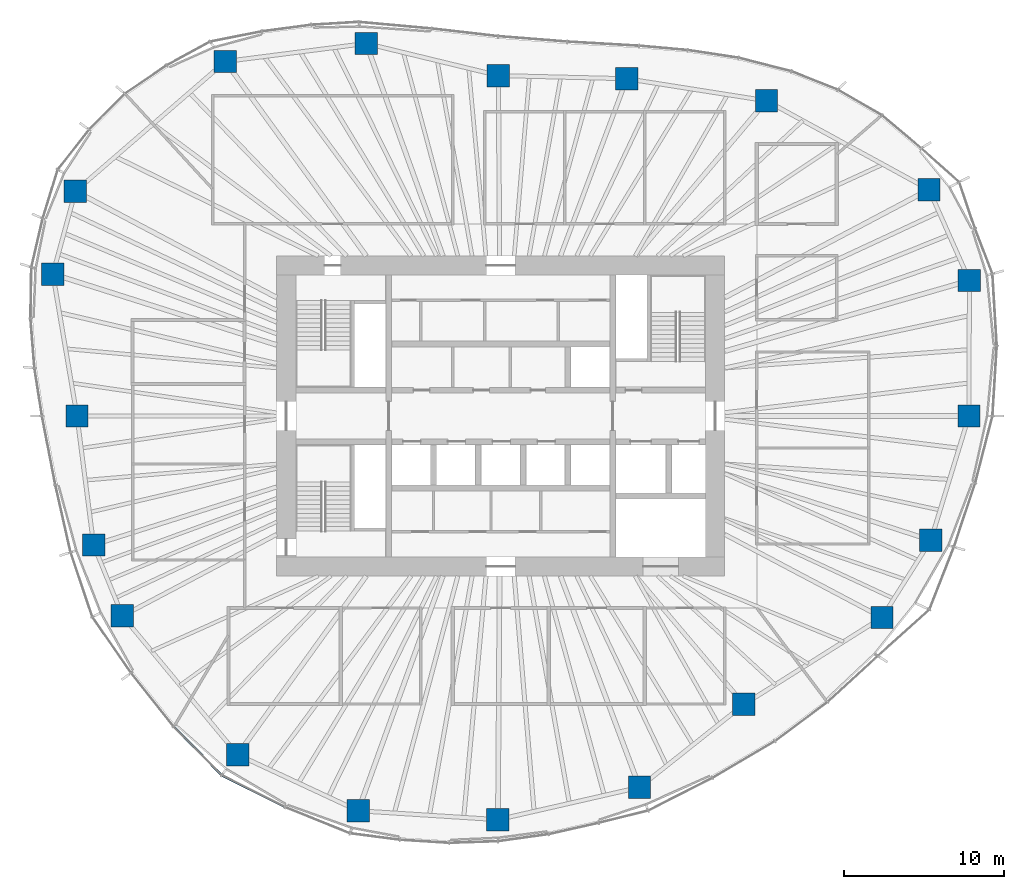
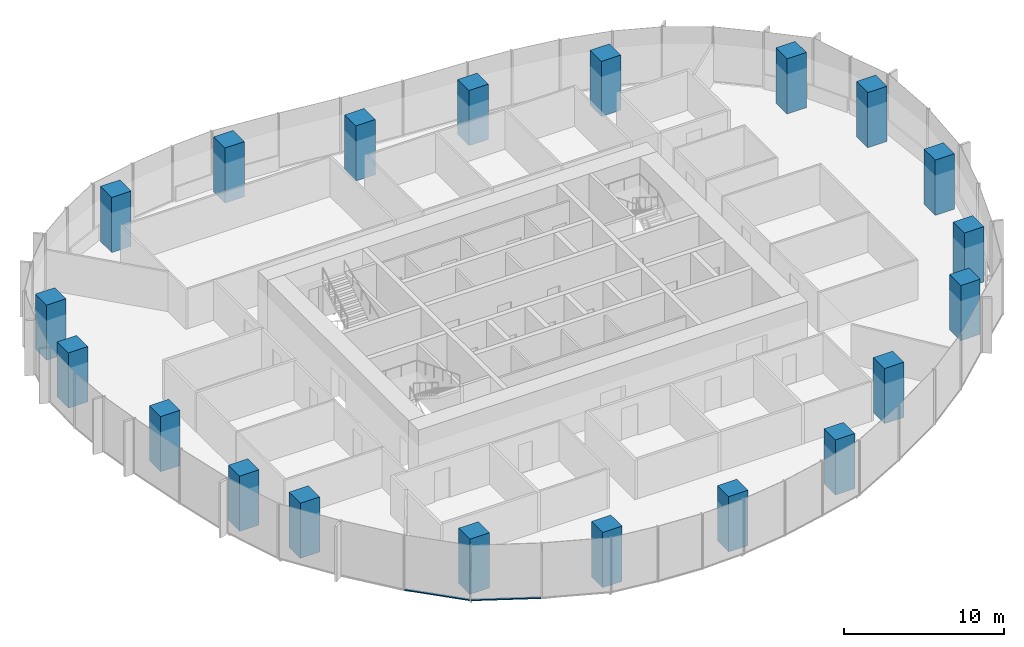
# One storey, part 1 of 18: 20 columns, 2 members, 2 elements without a shape of their own.
"""IFC4 building model written with IfcOpenShell, lengths in metres."""

from ifc_helpers import new_model, si_unit, direction, frame, origin, origin_2d, place, context, subcontext, project, spatial, rectangle, extrude, material, material_profile, profile_set, type_object, element, aggregate, save


model = new_model("IFC4")

# Units and contexts
model_context = context("Model", 3, precision=1e-05, world=origin(), true_north=direction((0.0, 1.0)))
body_context = subcontext(model_context, "Body", "Model", "MODEL_VIEW")
ifc_project = project(units=[si_unit("LENGTHUNIT", "METRE"), si_unit("AREAUNIT", "SQUARE_METRE"), si_unit("VOLUMEUNIT", "CUBIC_METRE"), si_unit("PLANEANGLEUNIT", "RADIAN"), si_unit("MASSUNIT", "GRAM", prefix="KILO")], contexts=[model_context])

# Site, building, storey
site_placement = place(None, origin())
site = spatial("IfcSite", under=ifc_project, at=site_placement, CompositionType="ELEMENT")
building_placement = place(site_placement, origin())
building = spatial("IfcBuilding", under=site, at=building_placement, Name="Ghaith Harvest Tower", CompositionType="ELEMENT")
storey_placement = place(building_placement, frame((0.0, 0.0, 147.0)))
storey = spatial("IfcBuildingStorey", under=building, at=storey_placement, Name="L31", CompositionType="ELEMENT", Elevation=147.0)

# Columns
ifc_material_1 = material(Name="Concrete C60/75", Category="concrete")
ifc_material_profile_1 = material_profile(ifc_material_1, rectangle(XDim=1.39990234375, YDim=1.39990234375, at=origin_2d()), Name="RC1400X1400")
ifc_profile_set_1 = profile_set([ifc_material_profile_1], Name="Concrete C60/75")
column_type = type_object("IfcColumnType", Name="TC4 RC1400X1400", PredefinedType="COLUMN", material=ifc_profile_set_1)
for number, where, z_axis, x_axis, name in (
    (1, (29.259033203125, 0.0, 0.0), (0.0, 0.0, 1.0), (1.0, 0.0, 0.0), "Perimeter column C01"),
    (2, (29.285888671875, 8.464111328125, 0.0), (0.0, 0.0, 1.0), (1.0, 0.0, 0.0), "Perimeter column C02"),
    (3, (26.763916015625, 14.14697265625, 0.0), (0.0, 0.0, 1.0), (1.0, 0.0, 0.0), "Perimeter column C03"),
    (4, (16.60791015625, 19.695068359375, 0.0), (0.0, 0.0, 1.0), (1.0, 0.0, 0.0), "Perimeter column C04"),
    (5, (7.8779296875, 21.072021484375, 0.0), (0.0, 0.0, 1.0), (1.0, 0.0, 0.0), "Perimeter column C05"),
    (6, (-0.14599609375, 21.27099609375, 0.0), (0.0, 0.0, 1.0), (1.0, 0.0, 0.0), "Perimeter column C06"),
    (7, (-8.406982421875, 23.27587890625, 0.0), (0.0, 0.0, 1.0), (1.0, 0.0, 0.0), "Perimeter column C07"),
    (8, (-17.201904296875, 22.14990234375, 0.0), (0.0, 0.0, 1.0), (1.0, 0.0, 0.0), "Perimeter column C08"),
    (9, (-26.572998046875, 14.0458984375, 0.0), (0.0, 0.0, 1.0), (1.0, 0.0, 0.0), "Perimeter column C09"),
    (10, (-27.98291015625, 8.867919921875, 0.0), (0.0, 0.0, 1.0), (1.0, 0.0, 0.0), "Perimeter column C10"),
    (11, (-26.47509765625, 0.0, 0.0), (0.0, 0.0, 1.0), (1.0, 0.0, 0.0), "Perimeter column C11"),
    (12, (-25.43603515625, -8.06103515625, 0.0), (0.0, 0.0, 1.0), (1.0, 0.0, 0.0), "Perimeter column C12"),
    (13, (-23.635009765625, -12.492919921875, 0.0), (0.0, 0.0, 1.0), (1.0, 0.0, 0.0), "Perimeter column C13"),
    (14, (-16.43701171875, -21.1640625, 0.0), (0.0, 0.0, 1.0), (1.0, 0.0, 0.0), "Perimeter column C14"),
    (15, (-8.908935546875, -24.66796875, 0.0), (0.0, 0.0, 1.0), (1.0, 0.0, 0.0), "Perimeter column C15"),
    (16, (-0.173095703125, -25.22412109375, 0.0), (0.0, 0.0, 1.0), (1.0, 0.0, 0.0), "Perimeter column C16"),
    (17, (8.674072265625, -23.202880859375, 0.0), (0.0, 0.0, 1.0), (1.0, 0.0, 0.0), "Perimeter column C17"),
    (18, (15.197998046875, -18.02294921875, 0.0), (0.0, 0.0, 1.0), (1.0, 0.0, 0.0), "Perimeter column C18"),
    (19, (23.825927734375, -12.593994140625, 0.0), (0.0, 0.0, 1.0), (1.0, 0.0, 0.0), "Perimeter column C19"),
    (20, (26.8779296875, -7.76806640625, 0.0), (0.0, 0.0, 1.0), (1.0, 0.0, 0.0), "Perimeter column C20"),
):
    element("IfcColumn", number, at=place(storey_placement, frame(where, z_axis=z_axis, x_axis=x_axis)), inside=storey, type_object=column_type, Name=name, PredefinedType="COLUMN", context=body_context, shape_type="SweptSolid", body=[
        extrude(rectangle(XDim=1.39990234375, YDim=1.39990234375, at=origin_2d()), origin(), (0.0, 0.0, 1.0), 4.199951171875),
    ])

# Curtain wall, member
ifc_material_2 = material(Name="Black anodised aluminium and fritted glass", Category="aluminium")
curtain_wall_type = type_object("IfcCurtainWallType", Name="CW-L CURTAIN WALL", PredefinedType="NOTDEFINED", material=ifc_material_2)
curtain_wall_1_placement = place(storey_placement, origin())
curtain_wall_1 = element("IfcCurtainWall", 21, at=curtain_wall_1_placement, inside=storey, type_object=curtain_wall_type, Name="Curtain wall CW-L bay 13 L31", PredefinedType="NOTDEFINED")
ifc_material_3 = material(Name="Aluminium, black anodised", Category="aluminium")
ifc_material_profile_2 = material_profile(ifc_material_3, rectangle(XDim=0.14990234375, YDim=0.080078125, at=origin_2d()), Name="CW-L TRANSOM 150x80")
ifc_profile_set_2 = profile_set([ifc_material_profile_2], Name="Aluminium, black anodised")
member_type = type_object("IfcMemberType", Name="CW-L TRANSOM 150x80", PredefinedType="USERDEFINED", material=ifc_profile_set_2)
member_1_placement = place(storey_placement, frame((-20.4130859375, -19.425048828125, 0.0400390625), z_axis=(0.702854410476, -0.711333731574, 0.0), x_axis=(0.711333731574, 0.702854410476, 0.0)))
member_1 = element("IfcMember", 22, at=member_1_placement, type_object=member_type, Name="CW-L transom 2 bay 13 L31", ObjectType="TRANSOM", PredefinedType="USERDEFINED", context=body_context, shape_type="SweptSolid", body=[
    extrude(rectangle(XDim=0.14990234375, YDim=0.080078125, at=origin_2d()), origin(), (0.0, 0.0, 1.0), 4.20361328125),
])
aggregate(curtain_wall_1, [member_1])

curtain_wall_2_placement = place(storey_placement, origin())
curtain_wall_2 = element("IfcCurtainWall", 23, at=curtain_wall_2_placement, inside=storey, type_object=curtain_wall_type, Name="Curtain wall CW-L bay 14 L31", PredefinedType="NOTDEFINED")
member_2_placement = place(storey_placement, frame((-17.394775390625, -22.461669921875, 0.0400390625), z_axis=(0.893057524502, -0.449942505138, 0.0), x_axis=(0.449942505138, 0.893057524502, 0.0)))
member_2 = element("IfcMember", 24, at=member_2_placement, type_object=member_type, Name="CW-L transom 1 bay 14 L31", ObjectType="TRANSOM", PredefinedType="USERDEFINED", context=body_context, shape_type="SweptSolid", body=[
    extrude(rectangle(XDim=0.14990234375, YDim=0.080078125, at=origin_2d()), origin(), (0.0, 0.0, 1.0), 4.362548828125),
])
aggregate(curtain_wall_2, [member_2])

save(model, "model.ifc")
